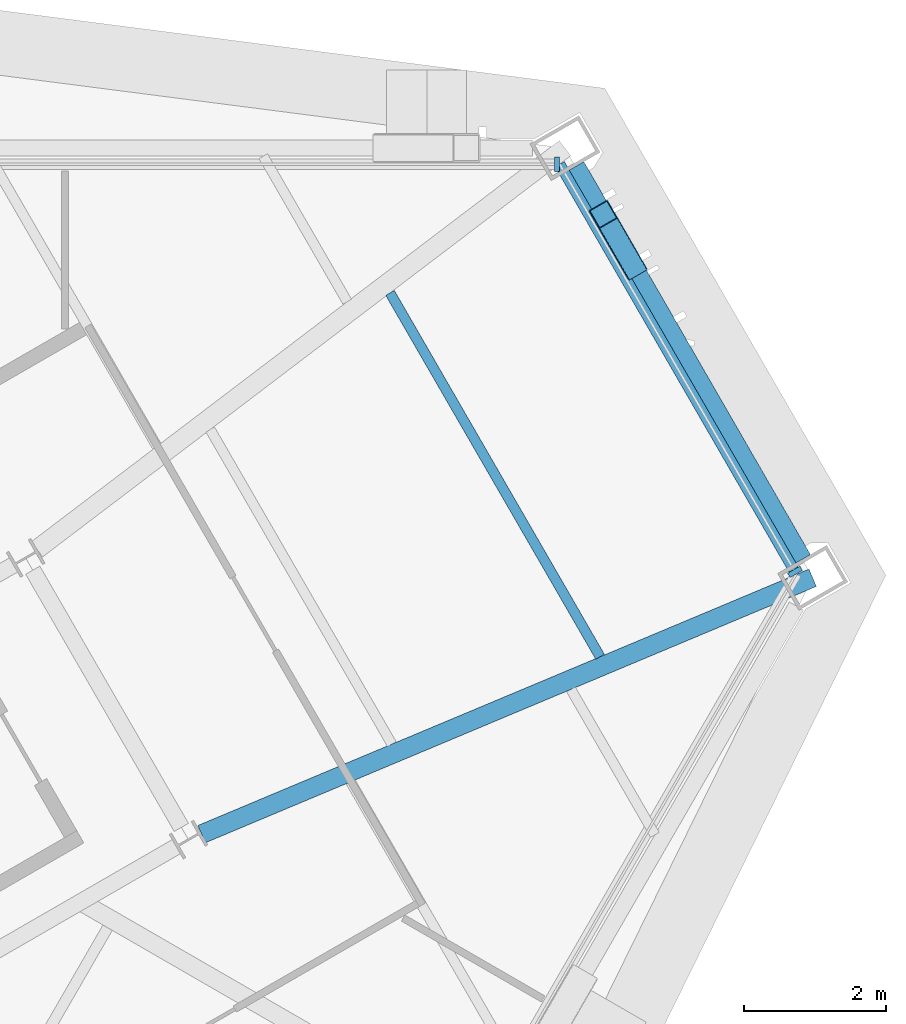
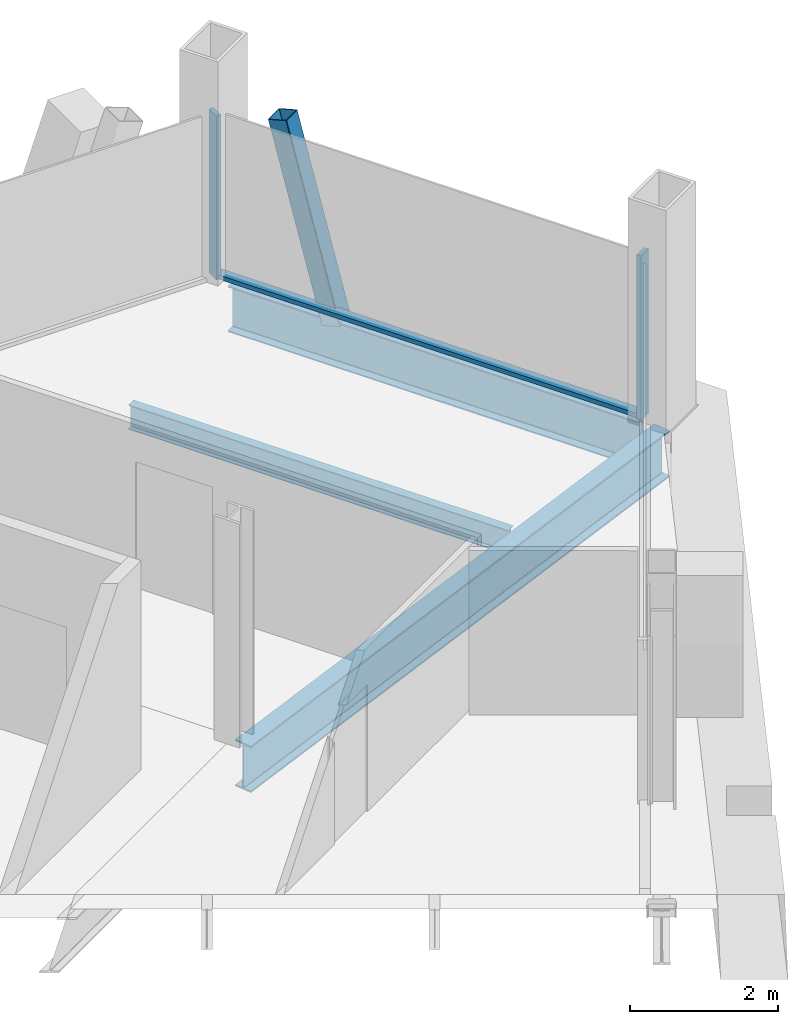
# One storey, part 8 of 15: 4 members, 3 beams, 2 elements without a shape of their own.
"""IFC4 building model written with IfcOpenShell, lengths in metres."""

from ifc_helpers import new_model, si_unit, direction, frame, origin, origin_2d, place, context, subcontext, project, spatial, rectangle, hollow_rectangle, i_section, extrude, material, material_profile, profile_set, type_object, element, aggregate, save


model = new_model("IFC4")

# Units and contexts
model_context = context("Model", 3, precision=1e-05, world=origin(), true_north=direction((0.0, 1.0)))
body_context = subcontext(model_context, "Body", "Model", "MODEL_VIEW")
ifc_project = project(units=[si_unit("LENGTHUNIT", "METRE"), si_unit("AREAUNIT", "SQUARE_METRE"), si_unit("VOLUMEUNIT", "CUBIC_METRE"), si_unit("PLANEANGLEUNIT", "RADIAN"), si_unit("MASSUNIT", "GRAM", prefix="KILO")], contexts=[model_context])

# Site, building, storey
site_placement = place(None, origin())
site = spatial("IfcSite", under=ifc_project, at=site_placement, CompositionType="ELEMENT")
building_placement = place(site_placement, origin())
building = spatial("IfcBuilding", under=site, at=building_placement, Name="Verrane Prism Tower", CompositionType="ELEMENT")
storey_placement = place(building_placement, frame((0.0, 0.0, 250.800048828125)))
storey = spatial("IfcBuildingStorey", under=building, at=storey_placement, Name="L63", CompositionType="ELEMENT", Elevation=250.800048828125)

# Member
ifc_material_1 = material(Name="Steel A500 Grade C", Category="steel")
ifc_material_profile_1 = material_profile(ifc_material_1, hollow_rectangle(XDim=0.3046875, YDim=0.3046875, WallThickness=0.0126953125, InnerFilletRadius=0.00634765625, OuterFilletRadius=0.01904296875, at=origin_2d()), Name="HSS12x12x1/2")
ifc_profile_set_1 = profile_set([ifc_material_profile_1], Name="Steel A500 Grade C")
member_type_1 = type_object("IfcMemberType", Name="Chamfer brace HSS12x12x1/2", PredefinedType="BRACE", material=ifc_profile_set_1)
member_1_placement = place(storey_placement, frame((23.800048828125, 15.565185546875, -0.24267578125), z_axis=(-0.130491739754, 0.226180627359, 0.965305252065), x_axis=(-0.86618075184, -0.499730832691, 0.0)))
element("IfcMember", 1, at=member_1_placement, inside=storey, type_object=member_type_1, Name="Chamfer brace NE0 L63", PredefinedType="BRACE", context=body_context, shape_type="SweptSolid", body=[
    extrude(hollow_rectangle(XDim=0.3046875, YDim=0.3046875, WallThickness=0.0126953125, InnerFilletRadius=0.00634765625, OuterFilletRadius=0.01904296875, at=origin_2d()), origin(), (0.0, 0.0, 1.0), 3.219970703125),
])

# Beams
ifc_material_2 = material(Name="Steel A992", Category="steel")
ifc_material_profile_2 = material_profile(ifc_material_2, i_section(OverallWidth=0.2666015625, OverallDepth=0.7568359375, WebThickness=0.013916015625, FlangeThickness=0.019287109375, FilletRadius=0.0166015625, at=origin_2d()), Name="W30x108")
ifc_profile_set_2 = profile_set([ifc_material_profile_2], Name="Steel A992")
beam_type_1 = type_object("IfcBeamType", Name="Chamfer spandrel beam W30x108", PredefinedType="SPANDREL", material=ifc_profile_set_2)
beam_1_placement = place(storey_placement, frame((26.190185546875, 11.419921875, -0.53857421875), z_axis=(-0.499500311129, 0.866313707142, 0.0), x_axis=(-0.866313707142, -0.499500311129, 0.0)))
element("IfcBeam", 2, at=beam_1_placement, inside=storey, type_object=beam_type_1, Name="Chamfer spandrel beam L63", PredefinedType="SPANDREL", context=body_context, shape_type="SweptSolid", body=[
    extrude(i_section(OverallWidth=0.2666015625, OverallDepth=0.7568359375, WebThickness=0.013916015625, FlangeThickness=0.019287109375, FilletRadius=0.0166015625, at=origin_2d()), origin(), (0.0, 0.0, 1.0), 6.40673828125),
])
ifc_material_3 = material(Name="Steel A992", Category="steel")
ifc_material_profile_3 = material_profile(ifc_material_3, i_section(OverallWidth=0.2666015625, OverallDepth=0.76708984375, WebThickness=0.014892578125, FlangeThickness=0.023681640625, FilletRadius=0.0166015625, at=origin_2d()), Name="W30x124")
ifc_profile_set_3 = profile_set([ifc_material_profile_3], Name="Steel A992")
beam_type_2 = type_object("IfcBeamType", Name="Corner girder W30x124", PredefinedType="BEAM", material=ifc_profile_set_3)
beam_2_placement = place(storey_placement, frame((26.338623046875, 11.159423828125, -0.603515625), z_axis=(-0.922149974892, -0.386832552671, 0.0), x_axis=(0.386832552671, -0.922149974892, 0.0)))
element("IfcBeam", 3, at=beam_2_placement, inside=storey, type_object=beam_type_2, Name="Corner girder L63", PredefinedType="BEAM", context=body_context, shape_type="SweptSolid", body=[
    extrude(i_section(OverallWidth=0.2666015625, OverallDepth=0.76708984375, WebThickness=0.014892578125, FlangeThickness=0.023681640625, FilletRadius=0.0166015625, at=origin_2d()), origin(), (0.0, 0.0, 1.0), 9.362060546875),
])
ifc_material_4 = material(Name="Steel A992", Category="steel")
ifc_material_profile_4 = material_profile(ifc_material_4, i_section(OverallWidth=0.140380859375, OverallDepth=0.40380859375, WebThickness=0.007080078125, FlangeThickness=0.01123046875, FilletRadius=0.01025390625, at=origin_2d()), Name="W16x31")
ifc_profile_set_4 = profile_set([ifc_material_profile_4], Name="Steel A992")
beam_type_3 = type_object("IfcBeamType", Name="Floor beam W16x31", PredefinedType="BEAM", material=ifc_profile_set_4)
beam_3_placement = place(storey_placement, frame((23.334716796875, 10.0439453125, -0.362060546875), z_axis=(-0.500019194352, 0.866014321637, 0.0), x_axis=(-0.866014321637, -0.500019194352, 0.0)))
element("IfcBeam", 4, at=beam_3_placement, inside=storey, type_object=beam_type_3, Name="Floor beam L63", PredefinedType="BEAM", context=body_context, shape_type="SweptSolid", body=[
    extrude(i_section(OverallWidth=0.140380859375, OverallDepth=0.40380859375, WebThickness=0.007080078125, FlangeThickness=0.01123046875, FilletRadius=0.01025390625, at=origin_2d()), origin(), (0.0, 0.0, 1.0), 5.934814453125),
])

# Curtain wall, member
ifc_material_5 = material(Name="Aluminium framed insulated glazing", Category="aluminium")
curtain_wall_type = type_object("IfcCurtainWallType", Name="Curtain wall CW-A 8400 module", PredefinedType="NOTDEFINED", material=ifc_material_5)
curtain_wall_1_placement = place(storey_placement, origin())
curtain_wall_1 = element("IfcCurtainWall", 5, at=curtain_wall_1_placement, inside=storey, type_object=curtain_wall_type, Name="Glazed curtain wall north-east corner L63", PredefinedType="NOTDEFINED")
ifc_material_6 = material(Name="Aluminium alloy 6063-T6", Category="aluminium")
ifc_material_profile_5 = material_profile(ifc_material_6, rectangle(XDim=0.199951171875, YDim=0.070068359375, at=origin_2d()), Name="Mullion 70x200 aluminium")
ifc_profile_set_5 = profile_set([ifc_material_profile_5], Name="Aluminium alloy 6063-T6")
member_type_2 = type_object("IfcMemberType", Name="Mullion 70x200 aluminium", PredefinedType="MULLION", material=ifc_profile_set_5)
member_2_placement = place(storey_placement, frame((26.08837890625, 11.24365234375, 0.0), z_axis=(0.0, 0.0, 1.0), x_axis=(-0.866027625781, -0.49999615137, 0.0)))
member_2 = element("IfcMember", 6, at=member_2_placement, type_object=member_type_2, Name="CW62.1 mullion 1", PredefinedType="MULLION", context=body_context, shape_type="SweptSolid", body=[
    extrude(rectangle(XDim=0.199951171875, YDim=0.070068359375, at=origin_2d()), origin(), (0.0, 0.0, 1.0), 2.712890625),
])

curtain_wall_2_placement = place(storey_placement, origin())
curtain_wall_2 = element("IfcCurtainWall", 7, at=curtain_wall_2_placement, inside=storey, type_object=curtain_wall_type, Name="Glazed curtain wall north face L63", PredefinedType="NOTDEFINED")
member_3_placement = place(storey_placement, frame((22.72900390625, 17.001708984375, 0.0), z_axis=(0.0, 0.0, 1.0), x_axis=(0.0, -1.0, 0.0)))
member_3 = element("IfcMember", 8, at=member_3_placement, type_object=member_type_2, Name="CW62.2 mullion 1", PredefinedType="MULLION", context=body_context, shape_type="SweptSolid", body=[
    extrude(rectangle(XDim=0.199951171875, YDim=0.070068359375, at=origin_2d()), origin(), (0.0, 0.0, 1.0), 2.712890625),
])
aggregate(curtain_wall_2, [member_3])

# Member
ifc_material_7 = material(Name="Aluminium alloy 6063-T6", Category="aluminium")
ifc_material_profile_6 = material_profile(ifc_material_7, rectangle(XDim=0.14990234375, YDim=0.070068359375, at=origin_2d()), Name="Transom 70x150 aluminium")
ifc_profile_set_6 = profile_set([ifc_material_profile_6], Name="Aluminium alloy 6063-T6")
member_type_3 = type_object("IfcMemberType", Name="Transom 70x150 aluminium", PredefinedType="USERDEFINED", material=ifc_profile_set_6)
member_4_placement = place(storey_placement, frame((26.071044921875, 11.27392578125, 0.034912109375), z_axis=(-0.49999405694, 0.866028834985, 0.0), x_axis=(-0.866028834985, -0.49999405694, 0.0)))
member_4 = element("IfcMember", 9, at=member_4_placement, type_object=member_type_3, Name="CW62.1 transom 1", ObjectType="TRANSOM", PredefinedType="USERDEFINED", context=body_context, shape_type="SweptSolid", body=[
    extrude(rectangle(XDim=0.14990234375, YDim=0.070068359375, at=origin_2d()), origin(), (0.0, 0.0, 1.0), 6.61376953125),
])

aggregate(curtain_wall_1, [member_2, member_4])

save(model, "model.ifc")
